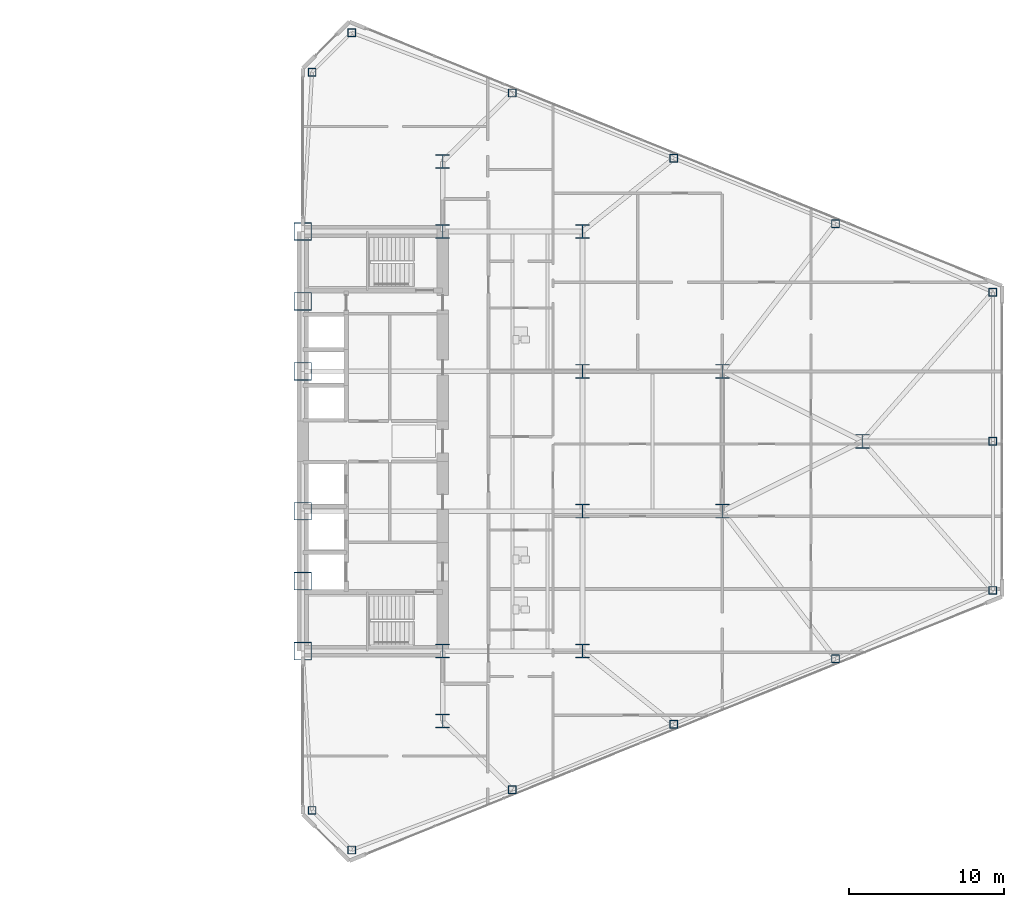
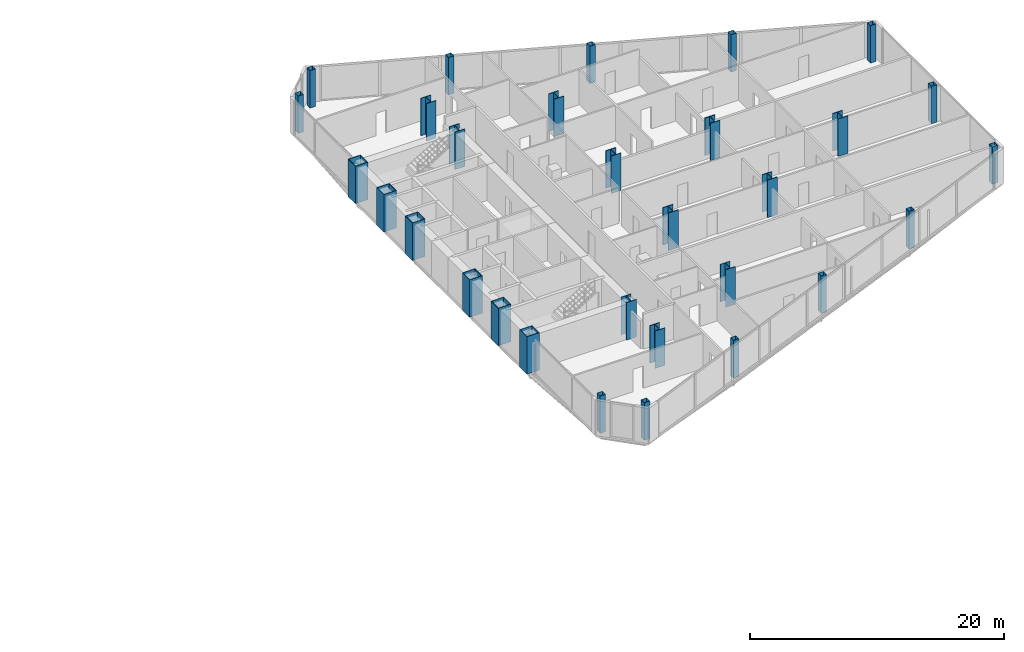
# One storey, part 2 of 25: 30 columns.
"""IFC4 building model written with IfcOpenShell, lengths in metres."""

from ifc_helpers import new_model, si_unit, direction, frame, origin, origin_2d, place, context, subcontext, project, spatial, hollow_rectangle, i_section, extrude, source, transform, mapped, material, material_profile, profile_set, type_object, type_shapes, element, save


model = new_model("IFC4")

# Units and contexts
model_context = context("Model", 3, precision=1e-05, world=origin(), true_north=direction((0.0, 1.0)))
body_context = subcontext(model_context, "Body", "Model", "MODEL_VIEW")
ifc_project = project(units=[si_unit("LENGTHUNIT", "METRE"), si_unit("AREAUNIT", "SQUARE_METRE"), si_unit("VOLUMEUNIT", "CUBIC_METRE"), si_unit("PLANEANGLEUNIT", "RADIAN"), si_unit("MASSUNIT", "GRAM", prefix="KILO")], contexts=[model_context])

# Site, building, storey
site_placement = place(None, origin())
site = spatial("IfcSite", under=ifc_project, at=site_placement, CompositionType="ELEMENT")
building_placement = place(site_placement, origin())
building = spatial("IfcBuilding", under=site, at=building_placement, Name="Seokmaru Belvedere", CompositionType="ELEMENT")
storey_placement = place(building_placement, frame((0.0, 0.0, 22.5)))
storey = spatial("IfcBuildingStorey", under=building, at=storey_placement, Name="L05", CompositionType="ELEMENT", Elevation=22.5)

# Columns
ifc_material_1 = material(Name="Steel HSA650 (650 MPa)", Category="steel")
ifc_material_profile_1 = material_profile(ifc_material_1, hollow_rectangle(XDim=1.14990234375, YDim=1.14990234375, WallThickness=0.048095703125, at=origin_2d()), Name="BOX-1150x1150x48")
ifc_profile_set_1 = profile_set([ifc_material_profile_1], Name="Steel HSA650 (650 MPa)")
column_type_1 = type_object("IfcColumnType", Name="Portal Spine Column BOX-1150", PredefinedType="COLUMN", material=ifc_profile_set_1)
shared_shape_1 = source(origin(), body_context, "Body", "SweptSolid", [
    extrude(hollow_rectangle(XDim=1.14990234375, YDim=1.14990234375, WallThickness=0.048095703125, at=origin_2d()), origin(), (0.0, 0.0, 1.0), 3.60009765625),
])
type_shapes(column_type_1, [shared_shape_1])
for number, where, z_axis, x_axis, name in (
    (1, (27.5, -13.5, 0.0), (0.0, 0.0, 1.0), (1.0, 0.0, 0.0), "L05 Column ES1"),
    (2, (27.5, -9.0, 0.0), (0.0, 0.0, 1.0), (1.0, 0.0, 0.0), "L05 Column ES2"),
    (3, (27.5, -4.5, 0.0), (0.0, 0.0, 1.0), (1.0, 0.0, 0.0), "L05 Column ES3"),
    (4, (27.5, 4.5, 0.0), (0.0, 0.0, 1.0), (1.0, 0.0, 0.0), "L05 Column ES4"),
    (5, (27.5, 9.0, 0.0), (0.0, 0.0, 1.0), (1.0, 0.0, 0.0), "L05 Column ES5"),
    (6, (27.5, 13.5, 0.0), (0.0, 0.0, 1.0), (1.0, 0.0, 0.0), "L05 Column ES6"),
):
    element("IfcColumn", number, at=place(storey_placement, frame(where, z_axis=z_axis, x_axis=x_axis)), inside=storey, type_object=column_type_1, Name=name, PredefinedType="COLUMN", context=body_context, shape_type="MappedRepresentation", body=[
        mapped(shared_shape_1, transform((0.0, 0.0, 0.0), scale=1.0)),
    ])
ifc_material_profile_2 = material_profile(ifc_material_1, i_section(OverallWidth=0.89990234375, OverallDepth=0.89990234375, WebThickness=0.035888671875, FlangeThickness=0.054931640625, at=origin_2d()), Name="H-900x900x36x55")
ifc_profile_set_2 = profile_set([ifc_material_profile_2], Name="Steel HSA650 (650 MPa)")
column_type_2 = type_object("IfcColumnType", Name="Lower Interior Column H-900", PredefinedType="COLUMN", material=ifc_profile_set_2)
shared_shape_2 = source(origin(), body_context, "Body", "SweptSolid", [
    extrude(i_section(OverallWidth=0.89990234375, OverallDepth=0.89990234375, WebThickness=0.035888671875, FlangeThickness=0.054931640625, at=origin_2d()), origin(), (0.0, 0.0, 1.0), 3.60009765625),
])
type_shapes(column_type_2, [shared_shape_2])
for number, where, z_axis, x_axis, name in (
    (7, (36.5, -18.0, 0.0), (0.0, 0.0, 1.0), (1.0, 0.0, 0.0), "L05 Column EC1"),
    (8, (36.5, -13.5, 0.0), (0.0, 0.0, 1.0), (1.0, 0.0, 0.0), "L05 Column EC2"),
    (9, (36.5, 13.5, 0.0), (0.0, 0.0, 1.0), (1.0, 0.0, 0.0), "L05 Column EC3"),
    (10, (36.5, 18.0, 0.0), (0.0, 0.0, 1.0), (1.0, 0.0, 0.0), "L05 Column EC4"),
    (11, (45.5, -13.5, 0.0), (0.0, 0.0, 1.0), (1.0, 0.0, 0.0), "L05 Column EG5_1"),
    (12, (45.5, -4.5, 0.0), (0.0, 0.0, 1.0), (1.0, 0.0, 0.0), "L05 Column EG5_2"),
    (13, (45.5, 4.5, 0.0), (0.0, 0.0, 1.0), (1.0, 0.0, 0.0), "L05 Column EG5_3"),
    (14, (45.5, 13.5, 0.0), (0.0, 0.0, 1.0), (1.0, 0.0, 0.0), "L05 Column EG5_4"),
    (15, (54.5, -4.5, 0.0), (0.0, 0.0, 1.0), (1.0, 0.0, 0.0), "L05 Column EG4P_1"),
    (16, (54.5, 4.5, 0.0), (0.0, 0.0, 1.0), (1.0, 0.0, 0.0), "L05 Column EG4P_2"),
    (17, (63.5, 0.0, 0.0), (0.0, 0.0, 1.0), (1.0, 0.0, 0.0), "L05 Column EG3P_1"),
):
    element("IfcColumn", number, at=place(storey_placement, frame(where, z_axis=z_axis, x_axis=x_axis)), inside=storey, type_object=column_type_2, Name=name, PredefinedType="COLUMN", context=body_context, shape_type="MappedRepresentation", body=[
        mapped(shared_shape_2, transform((0.0, 0.0, 0.0), scale=1.0)),
    ])
ifc_material_2 = material(Name="Steel SM355 (355 MPa)", Category="steel")
ifc_material_profile_3 = material_profile(ifc_material_2, hollow_rectangle(XDim=0.5, YDim=0.5, WallThickness=0.02001953125, at=origin_2d()), Name="HSS-500x500x20")
ifc_profile_set_3 = profile_set([ifc_material_profile_3], Name="Steel SM355 (355 MPa)")
column_type_3 = type_object("IfcColumnType", Name="Perimeter Facet Column HSS-500", PredefinedType="COLUMN", material=ifc_profile_set_3)
shared_shape_3 = source(origin(), body_context, "Body", "SweptSolid", [
    extrude(hollow_rectangle(XDim=0.5, YDim=0.5, WallThickness=0.02001953125, at=origin_2d()), origin(), (0.0, 0.0, 1.0), 3.60009765625),
])
type_shapes(column_type_3, [shared_shape_3])
for number, where, z_axis, x_axis, name in (
    (18, (30.643310546875, -26.294677734375, 0.0), (0.0, 0.0, 1.0), (1.0, 0.0, 0.0), "L05 Column EF1"),
    (19, (71.89990234375, -9.595703125, 0.0), (0.0, 0.0, 1.0), (1.0, 0.0, 0.0), "L05 Column EF2"),
    (20, (71.89990234375, 9.595703125, 0.0), (0.0, 0.0, 1.0), (1.0, 0.0, 0.0), "L05 Column EF3"),
    (21, (30.643310546875, 26.294677734375, 0.0), (0.0, 0.0, 1.0), (1.0, 0.0, 0.0), "L05 Column EF4"),
    (22, (28.10009765625, 23.75146484375, 0.0), (0.0, 0.0, 1.0), (1.0, 0.0, 0.0), "L05 Column EF5"),
    (23, (28.10009765625, -23.75146484375, 0.0), (0.0, 0.0, 1.0), (1.0, 0.0, 0.0), "L05 Column EF6"),
    (24, (40.977294921875, -22.4140625, 0.0), (0.0, 0.0, 1.0), (1.0, 0.0, 0.0), "L05 Column EFLK_S1"),
    (25, (51.378173828125, -18.2041015625, 0.0), (0.0, 0.0, 1.0), (1.0, 0.0, 0.0), "L05 Column EFLK_S2"),
    (26, (61.779052734375, -13.994140625, 0.0), (0.0, 0.0, 1.0), (1.0, 0.0, 0.0), "L05 Column EFLK_S3"),
    (27, (40.977294921875, 22.4140625, 0.0), (0.0, 0.0, 1.0), (1.0, 0.0, 0.0), "L05 Column EFLK_N1"),
    (28, (51.378173828125, 18.2041015625, 0.0), (0.0, 0.0, 1.0), (1.0, 0.0, 0.0), "L05 Column EFLK_N2"),
    (29, (61.779052734375, 13.994140625, 0.0), (0.0, 0.0, 1.0), (1.0, 0.0, 0.0), "L05 Column EFLK_N3"),
    (30, (71.89990234375, 0.0, 0.0), (0.0, 0.0, 1.0), (1.0, 0.0, 0.0), "L05 Column EF_APXM"),
):
    element("IfcColumn", number, at=place(storey_placement, frame(where, z_axis=z_axis, x_axis=x_axis)), inside=storey, type_object=column_type_3, Name=name, PredefinedType="COLUMN", context=body_context, shape_type="MappedRepresentation", body=[
        mapped(shared_shape_3, transform((0.0, 0.0, 0.0), scale=1.0)),
    ])

save(model, "model.ifc")
